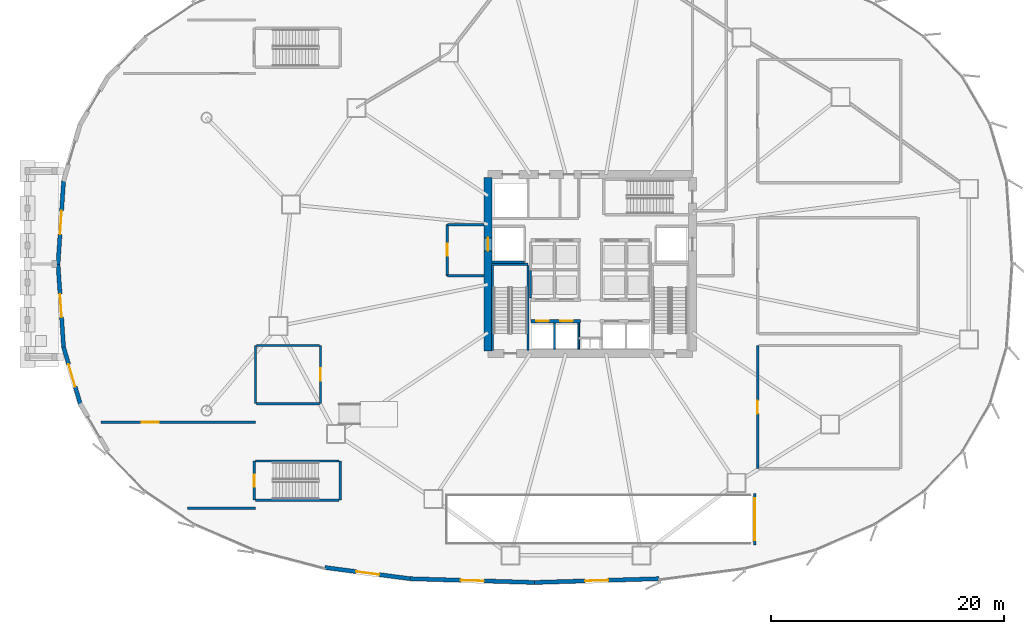
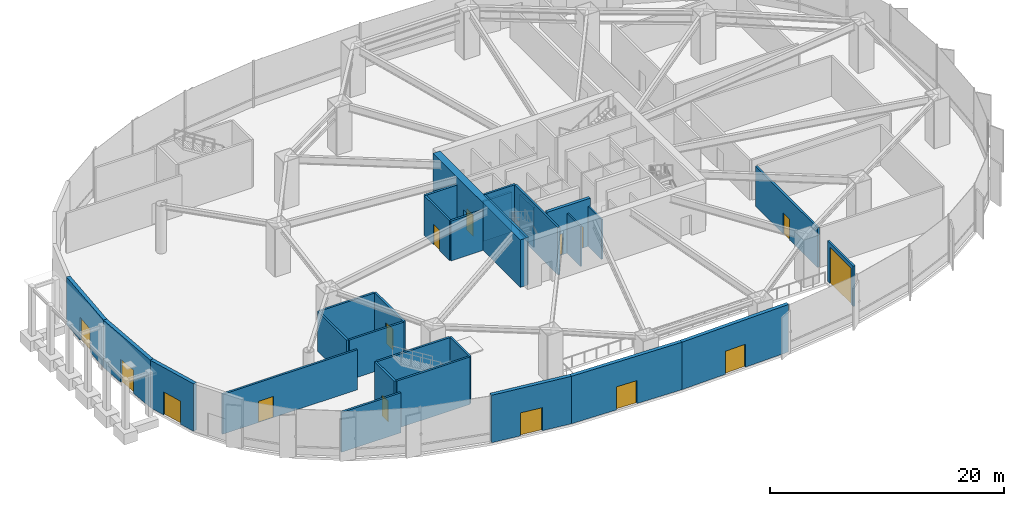
# One storey, part 23 of 35: 30 walls, 15 doors, 15 openings.
"""IFC4 building model written with IfcOpenShell, lengths in metres."""

from ifc_helpers import new_model, si_unit, direction, frame, frame_2d, origin, place, context, subcontext, project, spatial, rectangle, extrude, source, transform, mapped, material, layer, layer_set, type_object, element, fill, save


model = new_model("IFC4")

# Units and contexts
model_context = context("Model", 3, precision=1e-05, world=origin(), true_north=direction((0.0, 1.0)))
body_context = subcontext(model_context, "Body", "Model", "MODEL_VIEW")
ifc_project = project(units=[si_unit("LENGTHUNIT", "METRE"), si_unit("AREAUNIT", "SQUARE_METRE"), si_unit("VOLUMEUNIT", "CUBIC_METRE"), si_unit("PLANEANGLEUNIT", "RADIAN"), si_unit("MASSUNIT", "GRAM", prefix="KILO"), si_unit("THERMODYNAMICTEMPERATUREUNIT", "KELVIN")], contexts=[model_context])

# Site, building, storey
site_placement = place(None, origin())
site = spatial("IfcSite", under=ifc_project, at=site_placement, CompositionType="ELEMENT")
building_placement = place(site_placement, origin())
building = spatial("IfcBuilding", under=site, at=building_placement, Name="Kethvar Cultural Tower", CompositionType="ELEMENT")
storey_placement = place(building_placement, origin())
storey = spatial("IfcBuildingStorey", under=building, at=storey_placement, Name="L00", CompositionType="ELEMENT", Elevation=0.0)

# Wall, opening, door
ifc_material_1 = material(Name="Concrete C60/75", Category="concrete")
ifc_layer_1 = layer(ifc_material_1, 0.699951171875, Name="Concrete C60/75", Category="concrete")
ifc_layer_set_1 = layer_set([ifc_layer_1], Name="Concrete C60/75 (700 mm)")
wall_type_1 = type_object("IfcWallType", Name="WL-CORE-700", PredefinedType="SHEAR", material=ifc_layer_set_1)
wall_1_placement = place(storey_placement, frame((38.0, 35.260009765625, 0.0), z_axis=(0.0, 0.0, 1.0), x_axis=(0.0, -1.0, 0.0)))
wall_1 = element("IfcWall", 1, at=wall_1_placement, inside=storey, type_object=wall_type_1, Name="L00 Core Shear Wall W", PredefinedType="SHEAR", context=body_context, shape_type="SweptSolid", body=[
    extrude(rectangle(XDim=14.919921875, YDim=0.699951171875, at=frame_2d((7.4599609375, 0.0))), origin(), (0.0, 0.0, 1.0), 4.949951171875),
])
opening_1_placement = place(wall_1_placement, frame((5.2099609375, 0.0, 0.0)))
opening_1 = element("IfcOpeningElement", 2, at=opening_1_placement, cuts=wall_1, Name="Opening LD-1", PredefinedType="OPENING", context=body_context, shape_type="SweptSolid", body=[
    extrude(rectangle(XDim=1.10009765625, YDim=2.199951171875, at=frame_2d((0.550048828125, 1.10009765625))), frame((0.0, 0.35986328125, 0.0), z_axis=(0.0, -1.0, 0.0), x_axis=(1.0, 0.0, 0.0)), (0.0, 0.0, 1.0), 0.719970703125),
])
ifc_material_2 = material(Name="Steel S355J2", Category="steel")
door_type_1 = type_object("IfcDoorType", Name="DR-LIFT-SLIDE-1100", OperationType="NOTDEFINED", PredefinedType="DOOR", material=ifc_material_2)
shared_shape_1 = source(origin(), body_context, "Body", "SweptSolid", [
    extrude(rectangle(XDim=1.10009765625, YDim=2.199951171875, at=frame_2d((0.550048828125, 1.10009765625))), frame((0.0, 0.02490234375, 0.0), z_axis=(0.0, -1.0, 0.0), x_axis=(1.0, 0.0, 0.0)), (0.0, 0.0, 1.0), 0.050048828125),
])
door_1_placement = place(opening_1_placement, origin())
door_1 = element("IfcDoor", 3, at=door_1_placement, inside=storey, type_object=door_type_1, Name="L00 Firefighting Lift Landing Door FFL-01", OperationType="SLIDING_TO_LEFT", OverallHeight=2.199951171875, OverallWidth=1.10009765625, PredefinedType="DOOR", context=body_context, shape_type="MappedRepresentation", body=[
    mapped(shared_shape_1, transform((0.0, 0.0, 0.0), scale=1.0)),
])
fill(opening_1, door_1)

ifc_material_3 = material(Name="Concrete C40/50", Category="concrete")
ifc_layer_2 = layer(ifc_material_3, 0.35009765625, Name="Concrete C40/50", Category="concrete")
ifc_layer_set_2 = layer_set([ifc_layer_2], Name="Concrete C40/50 (350 mm)")
wall_type_2 = type_object("IfcWallType", Name="WL-EXT-PORTAL-350", PredefinedType="SOLIDWALL", material=ifc_layer_set_2)
wall_2_placement = place(storey_placement, frame((1.01953125, 27.785400390625, 0.0), z_axis=(0.0, 0.0, 1.0), x_axis=(0.067018998283, 0.997751699507, 0.0)))
wall_2 = element("IfcWall", 4, at=wall_2_placement, inside=storey, type_object=wall_type_2, Name="L00 Exterior Portal Wall 18", PredefinedType="SOLIDWALL", context=body_context, shape_type="SweptSolid", body=[
    extrude(rectangle(XDim=7.194580078125, YDim=0.35009765625, at=frame_2d((3.59716796875, 0.0))), origin(), (0.0, 0.0, 1.0), 4.949951171875),
])
opening_2_placement = place(wall_2_placement, frame((2.597412109375, 0.0, 0.0)))
opening_2 = element("IfcOpeningElement", 5, at=opening_2_placement, cuts=wall_2, Name="Opening EX-05", PredefinedType="OPENING", context=body_context, shape_type="SweptSolid", body=[
    extrude(rectangle(XDim=2.0, YDim=2.39990234375, at=frame_2d((1.0, 1.199951171875))), frame((0.0, 0.18505859375, 0.0), z_axis=(0.0, -1.0, 0.0), x_axis=(1.0, 0.0, 0.0)), (0.0, 0.0, 1.0), 0.3701171875),
])
ifc_material_4 = material(Name="Aluminium 6063-T6", Category="aluminium")
door_type_2 = type_object("IfcDoorType", Name="DR-EXT-EXIT-2000", OperationType="DOUBLE_DOOR_SINGLE_SWING", PredefinedType="DOOR", material=ifc_material_4)
shared_shape_2 = source(origin(), body_context, "Body", "SweptSolid", [
    extrude(rectangle(XDim=2.0, YDim=2.39990234375, at=frame_2d((1.0, 1.199951171875))), frame((0.0, 0.02490234375, 0.0), z_axis=(0.0, -1.0, 0.0), x_axis=(1.0, 0.0, 0.0)), (0.0, 0.0, 1.0), 0.050048828125),
])
door_2_placement = place(opening_2_placement, origin())
door_2 = element("IfcDoor", 6, at=door_2_placement, inside=storey, type_object=door_type_2, Name="Ground Pedestrian Exit Door EX-05", OperationType="DOUBLE_DOOR_SINGLE_SWING", OverallHeight=2.39990234375, OverallWidth=2.0, PredefinedType="DOOR", context=body_context, shape_type="MappedRepresentation", body=[
    mapped(shared_shape_2, transform((0.0, 0.0, 0.0), scale=1.0)),
])
fill(opening_2, door_2)

wall_3_placement = place(storey_placement, frame((1.501708984375, 20.635986328125, 0.0), z_axis=(0.0, 0.0, 1.0), x_axis=(-0.067016729273, 0.997751851914, 0.0)))
wall_3 = element("IfcWall", 7, at=wall_3_placement, inside=storey, type_object=wall_type_2, Name="L00 Exterior Portal Wall 19", PredefinedType="SOLIDWALL", context=body_context, shape_type="SweptSolid", body=[
    extrude(rectangle(XDim=7.19482421875, YDim=0.35009765625, at=frame_2d((3.597412109375, 0.0))), origin(), (0.0, 0.0, 1.0), 4.949951171875),
])
opening_3_placement = place(wall_3_placement, frame((2.597412109375, 0.0, 0.0)))
opening_3 = element("IfcOpeningElement", 8, at=opening_3_placement, cuts=wall_3, Name="Opening EX-06", PredefinedType="OPENING", context=body_context, shape_type="SweptSolid", body=[
    extrude(rectangle(XDim=2.0, YDim=2.39990234375, at=frame_2d((1.0, 1.199951171875))), frame((0.0, 0.18505859375, 0.0), z_axis=(0.0, -1.0, 0.0), x_axis=(1.0, 0.0, 0.0)), (0.0, 0.0, 1.0), 0.3701171875),
])
door_3_placement = place(opening_3_placement, origin())
door_3 = element("IfcDoor", 9, at=door_3_placement, inside=storey, type_object=door_type_2, Name="Ground Pedestrian Exit Door EX-06", OperationType="DOUBLE_DOOR_SINGLE_SWING", OverallHeight=2.39990234375, OverallWidth=2.0, PredefinedType="DOOR", context=body_context, shape_type="MappedRepresentation", body=[
    mapped(shared_shape_2, transform((0.0, 0.0, 0.0), scale=1.0)),
])
fill(opening_3, door_3)

wall_4_placement = place(storey_placement, frame((2.93603515625, 15.770263671875, 0.0), z_axis=(0.0, 0.0, 1.0), x_axis=(-0.281735210535, 0.959492194416, 0.0)))
wall_4 = element("IfcWall", 10, at=wall_4_placement, inside=storey, type_object=wall_type_2, Name="L00 Exterior Portal Wall 20", PredefinedType="SOLIDWALL", context=body_context, shape_type="SweptSolid", body=[
    extrude(rectangle(XDim=5.12060546875, YDim=0.35009765625, at=frame_2d((2.560302734375, 0.0))), origin(), (0.0, 0.0, 1.0), 4.949951171875),
])
opening_4_placement = place(wall_4_placement, frame((1.560302734375, 0.0, 0.0)))
opening_4 = element("IfcOpeningElement", 11, at=opening_4_placement, cuts=wall_4, Name="Opening EX-07", PredefinedType="OPENING", context=body_context, shape_type="SweptSolid", body=[
    extrude(rectangle(XDim=2.0, YDim=2.39990234375, at=frame_2d((1.0, 1.199951171875))), frame((0.0, 0.18505859375, 0.0), z_axis=(0.0, -1.0, 0.0), x_axis=(1.0, 0.0, 0.0)), (0.0, 0.0, 1.0), 0.3701171875),
])
door_4_placement = place(opening_4_placement, origin())
door_4 = element("IfcDoor", 12, at=door_4_placement, inside=storey, type_object=door_type_2, Name="Ground Pedestrian Exit Door EX-07", OperationType="DOUBLE_DOOR_SINGLE_SWING", OverallHeight=2.39990234375, OverallWidth=2.0, PredefinedType="DOOR", context=body_context, shape_type="MappedRepresentation", body=[
    mapped(shared_shape_2, transform((0.0, 0.0, 0.0), scale=1.0)),
])
fill(opening_4, door_4)

wall_5_placement = place(storey_placement, frame((31.312744140625, 0.7412109375, 0.0), z_axis=(0.0, 0.0, 1.0), x_axis=(-0.991431364125, 0.130628673076, 0.0)))
wall_5 = element("IfcWall", 13, at=wall_5_placement, inside=storey, type_object=wall_type_2, Name="L00 Exterior Portal Wall 26", PredefinedType="SOLIDWALL", context=body_context, shape_type="SweptSolid", body=[
    extrude(rectangle(XDim=7.3974609375, YDim=0.35009765625, at=frame_2d((3.69873046875, 0.0))), origin(), (0.0, 0.0, 1.0), 4.949951171875),
])
opening_5_placement = place(wall_5_placement, frame((2.69873046875, 0.0, 0.0)))
opening_5 = element("IfcOpeningElement", 14, at=opening_5_placement, cuts=wall_5, Name="Opening EX-09", PredefinedType="OPENING", context=body_context, shape_type="SweptSolid", body=[
    extrude(rectangle(XDim=2.0, YDim=2.39990234375, at=frame_2d((1.0, 1.199951171875))), frame((0.0, 0.18505859375, 0.0), z_axis=(0.0, -1.0, 0.0), x_axis=(1.0, 0.0, 0.0)), (0.0, 0.0, 1.0), 0.3701171875),
])
door_5_placement = place(opening_5_placement, origin())
door_5 = element("IfcDoor", 15, at=door_5_placement, inside=storey, type_object=door_type_2, Name="Ground Pedestrian Exit Door EX-09", OperationType="DOUBLE_DOOR_SINGLE_SWING", OverallHeight=2.39990234375, OverallWidth=2.0, PredefinedType="DOOR", context=body_context, shape_type="MappedRepresentation", body=[
    mapped(shared_shape_2, transform((0.0, 0.0, 0.0), scale=1.0)),
])
fill(opening_5, door_5)

wall_6_placement = place(storey_placement, frame((42.006591796875, 0.419921875, 0.0), z_axis=(0.0, 0.0, 1.0), x_axis=(-0.999546034195, 0.030128483624, 0.0)))
wall_6 = element("IfcWall", 16, at=wall_6_placement, inside=storey, type_object=wall_type_2, Name="L00 Exterior Portal Wall 27", PredefinedType="SOLIDWALL", context=body_context, shape_type="SweptSolid", body=[
    extrude(rectangle(XDim=10.720703125, YDim=0.35009765625, at=frame_2d((5.3603515625, 0.0))), origin(), (0.0, 0.0, 1.0), 4.949951171875),
])
opening_6_placement = place(wall_6_placement, frame((4.3603515625, 0.0, 0.0)))
opening_6 = element("IfcOpeningElement", 17, at=opening_6_placement, cuts=wall_6, Name="Opening EX-10", PredefinedType="OPENING", context=body_context, shape_type="SweptSolid", body=[
    extrude(rectangle(XDim=2.0, YDim=2.39990234375, at=frame_2d((1.0, 1.199951171875))), frame((0.0, 0.18505859375, 0.0), z_axis=(0.0, -1.0, 0.0), x_axis=(1.0, 0.0, 0.0)), (0.0, 0.0, 1.0), 0.3701171875),
])
door_6_placement = place(opening_6_placement, origin())
door_6 = element("IfcDoor", 18, at=door_6_placement, inside=storey, type_object=door_type_2, Name="Ground Pedestrian Exit Door EX-10", OperationType="DOUBLE_DOOR_SINGLE_SWING", OverallHeight=2.39990234375, OverallWidth=2.0, PredefinedType="DOOR", context=body_context, shape_type="MappedRepresentation", body=[
    mapped(shared_shape_2, transform((0.0, 0.0, 0.0), scale=1.0)),
])
fill(opening_6, door_6)

wall_7_placement = place(storey_placement, frame((52.709228515625, 0.742919921875, 0.0), z_axis=(0.0, 0.0, 1.0), x_axis=(-0.999546034195, -0.030128483624, 0.0)))
wall_7 = element("IfcWall", 19, at=wall_7_placement, inside=storey, type_object=wall_type_2, Name="L00 Exterior Portal Wall 28", PredefinedType="SOLIDWALL", context=body_context, shape_type="SweptSolid", body=[
    extrude(rectangle(XDim=10.720703125, YDim=0.35009765625, at=frame_2d((5.3603515625, 0.0))), origin(), (0.0, 0.0, 1.0), 4.949951171875),
])
opening_7_placement = place(wall_7_placement, frame((4.3603515625, 0.0, 0.0)))
opening_7 = element("IfcOpeningElement", 20, at=opening_7_placement, cuts=wall_7, Name="Opening EX-11", PredefinedType="OPENING", context=body_context, shape_type="SweptSolid", body=[
    extrude(rectangle(XDim=2.0, YDim=2.39990234375, at=frame_2d((1.0, 1.199951171875))), frame((0.0, 0.18505859375, 0.0), z_axis=(0.0, -1.0, 0.0), x_axis=(1.0, 0.0, 0.0)), (0.0, 0.0, 1.0), 0.3701171875),
])
door_7_placement = place(opening_7_placement, origin())
door_7 = element("IfcDoor", 21, at=door_7_placement, inside=storey, type_object=door_type_2, Name="Ground Pedestrian Exit Door EX-11", OperationType="DOUBLE_DOOR_SINGLE_SWING", OverallHeight=2.39990234375, OverallWidth=2.0, PredefinedType="DOOR", context=body_context, shape_type="MappedRepresentation", body=[
    mapped(shared_shape_2, transform((0.0, 0.0, 0.0), scale=1.0)),
])
fill(opening_7, door_7)

# Walls
ifc_material_5 = material(Name="Gypsum Fireboard Partition")
ifc_layer_3 = layer(ifc_material_5, 0.14990234375, Name="Gypsum Fireboard Partition")
ifc_layer_set_3 = layer_set([ifc_layer_3], Name="Gypsum Fireboard Partition (150 mm)")
wall_type_3 = type_object("IfcWallType", Name="WL-FIRE-150", PredefinedType="PARTITIONING", material=ifc_layer_set_3)
wall_8_placement = place(storey_placement, frame((45.800048828125, 20.47998046875, 0.0), z_axis=(0.0, 0.0, 1.0), x_axis=(0.0, 1.0, 0.0)))
element("IfcWall", 22, at=wall_8_placement, inside=storey, type_object=wall_type_3, Name="L00 Core Riser West Wall", PredefinedType="PARTITIONING", context=body_context, shape_type="SweptSolid", body=[
    extrude(rectangle(XDim=2.239990234375, YDim=0.14990234375, at=frame_2d((1.1201171875, 0.0))), origin(), (0.0, 0.0, 1.0), 4.1630859375),
])
wall_9_placement = place(storey_placement, frame((43.72509765625, 20.4599609375, 0.0), z_axis=(0.0, 0.0, 1.0), x_axis=(0.0, 1.0, 0.0)))
element("IfcWall", 23, at=wall_9_placement, inside=storey, type_object=wall_type_3, Name="L00 Low-Rise Lift Shaft Divider W", PredefinedType="PARTITIONING", context=body_context, shape_type="SweptSolid", body=[
    extrude(rectangle(XDim=2.27001953125, YDim=0.14990234375, at=frame_2d((1.135009765625, 0.0))), origin(), (0.0, 0.0, 1.0), 4.1630859375),
])
wall_10_placement = place(storey_placement, frame((41.64990234375, 24.919921875, 0.0), z_axis=(0.0, 0.0, 1.0), x_axis=(0.0, 1.0, 0.0)))
element("IfcWall", 24, at=wall_10_placement, inside=storey, type_object=wall_type_3, Name="L00 Mid-Rise Lift Shaft Outer Wall W", PredefinedType="PARTITIONING", context=body_context, shape_type="SweptSolid", body=[
    extrude(rectangle(XDim=2.320068359375, YDim=0.14990234375, at=frame_2d((1.16015625, 0.0))), origin(), (0.0, 0.0, 1.0), 4.1630859375),
])
ifc_layer_4 = layer(ifc_material_3, 0.199951171875, Name="Concrete C40/50", Category="concrete")
ifc_layer_set_4 = layer_set([ifc_layer_4], Name="Concrete C40/50 (200 mm)")
wall_type_4 = type_object("IfcWallType", Name="WL-FIRE-200", PredefinedType="PARTITIONING", material=ifc_layer_set_4)
wall_11_placement = place(storey_placement, frame((38.360107421875, 27.949951171875, 0.0), z_axis=(0.0, 0.0, 1.0), x_axis=(1.0, 0.0, 0.0)))
element("IfcWall", 25, at=wall_11_placement, inside=storey, type_object=wall_type_4, Name="L00 FFL-01 Shaft South Wall", PredefinedType="PARTITIONING", context=body_context, shape_type="SweptSolid", body=[
    extrude(rectangle(XDim=2.789794921875, YDim=0.199951171875, at=frame_2d((1.39501953125, 0.0))), origin(), (0.0, 0.0, 1.0), 4.1630859375),
])

# Wall, opening, door
wall_12_placement = place(storey_placement, frame((34.5, 31.199951171875, 0.0), z_axis=(0.0, 0.0, 1.0), x_axis=(0.0, -1.0, 0.0)))
wall_12 = element("IfcWall", 26, at=wall_12_placement, inside=storey, type_object=wall_type_4, Name="L00 Firefighting Lobby 1 Wall", PredefinedType="PARTITIONING", context=body_context, shape_type="SweptSolid", body=[
    extrude(rectangle(XDim=4.39990234375, YDim=0.199951171875, at=frame_2d((2.199951171875, 0.0))), origin(), (0.0, 0.0, 1.0), 4.1630859375),
])
opening_8_placement = place(wall_12_placement, frame((1.64990234375, 0.0, 0.0)))
opening_8 = element("IfcOpeningElement", 27, at=opening_8_placement, cuts=wall_12, Name="Opening D-L00-F1", PredefinedType="OPENING", context=body_context, shape_type="SweptSolid", body=[
    extrude(rectangle(XDim=1.050048828125, YDim=2.14990234375, at=frame_2d((0.52490234375, 1.074951171875))), frame((0.0, 0.10986328125, 0.0), z_axis=(0.0, -1.0, 0.0), x_axis=(1.0, 0.0, 0.0)), (0.0, 0.0, 1.0), 0.219970703125),
])
door_type_3 = type_object("IfcDoorType", Name="DR-FD60-1050", OperationType="NOTDEFINED", PredefinedType="DOOR", material=ifc_material_2)
shared_shape_3 = source(origin(), body_context, "Body", "SweptSolid", [
    extrude(rectangle(XDim=1.050048828125, YDim=2.14990234375, at=frame_2d((0.52490234375, 1.074951171875))), frame((0.0, 0.02490234375, 0.0), z_axis=(0.0, -1.0, 0.0), x_axis=(1.0, 0.0, 0.0)), (0.0, 0.0, 1.0), 0.050048828125),
])
door_8_placement = place(opening_8_placement, origin())
door_8 = element("IfcDoor", 28, at=door_8_placement, inside=storey, type_object=door_type_3, Name="L00 Firefighting Lobby 1 Fire Door", OperationType="SINGLE_SWING_LEFT", OverallHeight=2.14990234375, OverallWidth=1.050048828125, PredefinedType="DOOR", context=body_context, shape_type="MappedRepresentation", body=[
    mapped(shared_shape_3, transform((0.0, 0.0, 0.0), scale=1.0)),
])
fill(opening_8, door_8)

# Walls
for number, where, z_axis, x_axis, name in (
    (29, (34.5, 26.800048828125, 0.0), (0.0, 0.0, 1.0), (1.0, 0.0, 0.0), "L00 FF Lobby 1 South Wall"),
    (30, (34.5, 31.199951171875, 0.0), (0.0, 0.0, 1.0), (1.0, 0.0, 0.0), "L00 FF Lobby 1 North Wall"),
):
    element("IfcWall", number, at=place(storey_placement, frame(where, z_axis=z_axis, x_axis=x_axis)), inside=storey, type_object=wall_type_4, Name=name, PredefinedType="PARTITIONING", context=body_context, shape_type="SweptSolid", body=[
        extrude(rectangle(XDim=3.139892578125, YDim=0.199951171875, at=frame_2d((1.56982421875, 0.0))), origin(), (0.0, 0.0, 1.0), 4.1630859375),
    ])

# Wall, opening, door
wall_13_placement = place(storey_placement, frame((23.60009765625, 15.800048828125, 0.0), z_axis=(0.0, 0.0, 1.0), x_axis=(0.0, 1.0, 0.0)))
wall_13 = element("IfcWall", 31, at=wall_13_placement, inside=storey, type_object=wall_type_4, Name="L00 Fire Command Centre Entry Wall", PredefinedType="PARTITIONING", context=body_context, shape_type="SweptSolid", body=[
    extrude(rectangle(XDim=5.0, YDim=0.199951171875, at=frame_2d((2.5, 0.0))), origin(), (0.0, 0.0, 1.0), 4.1630859375),
])
opening_9_placement = place(wall_13_placement, frame((1.949951171875, 0.0, 0.0)))
opening_9 = element("IfcOpeningElement", 32, at=opening_9_placement, cuts=wall_13, Name="Opening D-L00-FC", PredefinedType="OPENING", context=body_context, shape_type="SweptSolid", body=[
    extrude(rectangle(XDim=1.10009765625, YDim=2.14990234375, at=frame_2d((0.550048828125, 1.074951171875))), frame((0.0, 0.10986328125, 0.0), z_axis=(0.0, -1.0, 0.0), x_axis=(1.0, 0.0, 0.0)), (0.0, 0.0, 1.0), 0.219970703125),
])
door_type_4 = type_object("IfcDoorType", Name="DR-FD60-1100", OperationType="NOTDEFINED", PredefinedType="DOOR", material=ifc_material_2)
shared_shape_4 = source(origin(), body_context, "Body", "SweptSolid", [
    extrude(rectangle(XDim=1.10009765625, YDim=2.14990234375, at=frame_2d((0.550048828125, 1.074951171875))), frame((0.0, 0.02490234375, 0.0), z_axis=(0.0, -1.0, 0.0), x_axis=(1.0, 0.0, 0.0)), (0.0, 0.0, 1.0), 0.050048828125),
])
door_9_placement = place(opening_9_placement, origin())
door_9 = element("IfcDoor", 33, at=door_9_placement, inside=storey, type_object=door_type_4, Name="Fire Command Centre Door", OperationType="SINGLE_SWING_LEFT", OverallHeight=2.14990234375, OverallWidth=1.10009765625, PredefinedType="DOOR", context=body_context, shape_type="MappedRepresentation", body=[
    mapped(shared_shape_4, transform((0.0, 0.0, 0.0), scale=1.0)),
])
fill(opening_9, door_9)

# Walls
wall_14_placement = place(storey_placement, frame((18.0, 15.800048828125, 0.0), z_axis=(0.0, 0.0, 1.0), x_axis=(0.0, 1.0, 0.0)))
element("IfcWall", 34, at=wall_14_placement, inside=storey, type_object=wall_type_4, Name="L00 Fire Command Centre Rear Wall", PredefinedType="PARTITIONING", context=body_context, shape_type="SweptSolid", body=[
    extrude(rectangle(XDim=5.0, YDim=0.199951171875, at=frame_2d((2.5, 0.0))), origin(), (0.0, 0.0, 1.0), 4.1630859375),
])
for number, where, z_axis, x_axis, name in (
    (35, (18.110107421875, 15.800048828125, 0.0), (0.0, 0.0, 1.0), (1.0, 0.0, 0.0), "L00 Fire Command Centre South Wall"),
    (36, (18.110107421875, 20.800048828125, 0.0), (0.0, 0.0, 1.0), (1.0, 0.0, 0.0), "L00 Fire Command Centre North Wall"),
):
    element("IfcWall", number, at=place(storey_placement, frame(where, z_axis=z_axis, x_axis=x_axis)), inside=storey, type_object=wall_type_4, Name=name, PredefinedType="PARTITIONING", context=body_context, shape_type="SweptSolid", body=[
        extrude(rectangle(XDim=5.3798828125, YDim=0.199951171875, at=frame_2d((2.68994140625, 0.0))), origin(), (0.0, 0.0, 1.0), 4.1630859375),
    ])

# Wall, opening, door
wall_15_placement = place(storey_placement, frame((61.199951171875, 10.199951171875, 0.0), z_axis=(0.0, 0.0, 1.0), x_axis=(0.0, 1.0, 0.0)))
wall_15 = element("IfcWall", 37, at=wall_15_placement, inside=storey, type_object=wall_type_4, Name="L00 Museum Design Book Shop Entry Wall", PredefinedType="PARTITIONING", context=body_context, shape_type="SweptSolid", body=[
    extrude(rectangle(XDim=10.60009765625, YDim=0.199951171875, at=frame_2d((5.300048828125, 0.0))), origin(), (0.0, 0.0, 1.0), 4.1630859375),
])
opening_10_placement = place(wall_15_placement, frame((4.75, 0.0, 0.0)))
opening_10 = element("IfcOpeningElement", 38, at=opening_10_placement, cuts=wall_15, Name="Opening D-L00-BK", PredefinedType="OPENING", context=body_context, shape_type="SweptSolid", body=[
    extrude(rectangle(XDim=1.10009765625, YDim=2.14990234375, at=frame_2d((0.550048828125, 1.074951171875))), frame((0.0, 0.10986328125, 0.0), z_axis=(0.0, -1.0, 0.0), x_axis=(1.0, 0.0, 0.0)), (0.0, 0.0, 1.0), 0.219970703125),
])
door_10_placement = place(opening_10_placement, origin())
door_10 = element("IfcDoor", 39, at=door_10_placement, inside=storey, type_object=door_type_4, Name="Museum Design Book Shop Door", OperationType="SINGLE_SWING_LEFT", OverallHeight=2.14990234375, OverallWidth=1.10009765625, PredefinedType="DOOR", context=body_context, shape_type="MappedRepresentation", body=[
    mapped(shared_shape_4, transform((0.0, 0.0, 0.0), scale=1.0)),
])
fill(opening_10, door_10)

wall_16_placement = place(storey_placement, frame((4.70361328125, 14.199951171875, 0.0), z_axis=(0.0, 0.0, 1.0), x_axis=(1.0, 0.0, 0.0)))
wall_16 = element("IfcWall", 40, at=wall_16_placement, inside=storey, type_object=wall_type_4, Name="L00 ST-04 Exit Passageway North Fire Wall", PredefinedType="PARTITIONING", context=body_context, shape_type="SweptSolid", body=[
    extrude(rectangle(XDim=13.29638671875, YDim=0.199951171875, at=frame_2d((6.648193359375, 0.0))), origin(), (0.0, 0.0, 1.0), 4.1630859375),
])
opening_11_placement = place(wall_16_placement, frame((3.5, 0.0, 0.0)))
opening_11 = element("IfcOpeningElement", 41, at=opening_11_placement, cuts=wall_16, Name="Opening D-L00-ES", PredefinedType="OPENING", context=body_context, shape_type="SweptSolid", body=[
    extrude(rectangle(XDim=1.5, YDim=2.199951171875, at=frame_2d((0.75, 1.10009765625))), frame((0.0, 0.10986328125, 0.0), z_axis=(0.0, -1.0, 0.0), x_axis=(1.0, 0.0, 0.0)), (0.0, 0.0, 1.0), 0.219970703125),
])
ifc_material_6 = material(Name="Architectural Oak Timber", Category="wood")
door_type_5 = type_object("IfcDoorType", Name="DR-DBL-FD60-1500", OperationType="DOUBLE_DOOR_SINGLE_SWING", PredefinedType="DOOR", material=ifc_material_6)
shared_shape_5 = source(origin(), body_context, "Body", "SweptSolid", [
    extrude(rectangle(XDim=1.5, YDim=2.199951171875, at=frame_2d((0.75, 1.10009765625))), frame((0.0, 0.02490234375, 0.0), z_axis=(0.0, -1.0, 0.0), x_axis=(1.0, 0.0, 0.0)), (0.0, 0.0, 1.0), 0.050048828125),
])
door_11_placement = place(opening_11_placement, origin())
door_11 = element("IfcDoor", 42, at=door_11_placement, inside=storey, type_object=door_type_5, Name="L00 ST-04 Exit Passageway Lobby Door", OperationType="DOUBLE_DOOR_SINGLE_SWING", OverallHeight=2.199951171875, OverallWidth=1.5, PredefinedType="DOOR", context=body_context, shape_type="MappedRepresentation", body=[
    mapped(shared_shape_5, transform((0.0, 0.0, 0.0), scale=1.0)),
])
fill(opening_11, door_11)

# Wall
wall_17_placement = place(storey_placement, frame((12.165283203125, 6.800048828125, 0.0), z_axis=(0.0, 0.0, 1.0), x_axis=(1.0, 0.0, 0.0)))
element("IfcWall", 43, at=wall_17_placement, inside=storey, type_object=wall_type_4, Name="L00 ST-04 Exit Passageway South Fire Wall", PredefinedType="PARTITIONING", context=body_context, shape_type="SweptSolid", body=[
    extrude(rectangle(XDim=5.834716796875, YDim=0.199951171875, at=frame_2d((2.91748046875, 0.0))), origin(), (0.0, 0.0, 1.0), 4.1630859375),
])

# Wall, opening, door
wall_18_placement = place(storey_placement, frame((60.949951171875, 3.64990234375, 0.0), z_axis=(0.0, 0.0, 1.0), x_axis=(0.0, 1.0, 0.0)))
wall_18 = element("IfcWall", 44, at=wall_18_placement, inside=storey, type_object=wall_type_4, Name="L00 Car Park Vehicle Ramp Portal Wall", PredefinedType="PARTITIONING", context=body_context, shape_type="SweptSolid", body=[
    extrude(rectangle(XDim=4.400146484375, YDim=0.199951171875, at=frame_2d((2.2001953125, 0.0))), origin(), (0.0, 0.0, 1.0), 4.199951171875),
])
opening_12_placement = place(wall_18_placement, frame((0.39990234375, 0.0, 0.0)))
opening_12 = element("IfcOpeningElement", 45, at=opening_12_placement, cuts=wall_18, Name="Opening VG-01", PredefinedType="OPENING", context=body_context, shape_type="SweptSolid", body=[
    extrude(rectangle(XDim=3.60009765625, YDim=3.800048828125, at=frame_2d((1.800048828125, 1.89990234375))), frame((0.0, 0.10986328125, 0.0), z_axis=(0.0, -1.0, 0.0), x_axis=(1.0, 0.0, 0.0)), (0.0, 0.0, 1.0), 0.219970703125),
])
door_type_6 = type_object("IfcDoorType", Name="DR-LOADING-3600", OperationType="ROLLINGUP", PredefinedType="GATE", material=ifc_material_2)
shared_shape_6 = source(origin(), body_context, "Body", "SweptSolid", [
    extrude(rectangle(XDim=3.60009765625, YDim=3.800048828125, at=frame_2d((1.800048828125, 1.89990234375))), frame((0.0, 0.02490234375, 0.0), z_axis=(0.0, -1.0, 0.0), x_axis=(1.0, 0.0, 0.0)), (0.0, 0.0, 1.0), 0.050048828125),
])
door_12_placement = place(opening_12_placement, origin())
door_12 = element("IfcDoor", 46, at=door_12_placement, inside=storey, type_object=door_type_6, Name="Car Park Vehicle Ramp Roller Shutter Gate VG-01", OperationType="ROLLINGUP", OverallHeight=3.800048828125, OverallWidth=3.60009765625, PredefinedType="GATE", context=body_context, shape_type="MappedRepresentation", body=[
    mapped(shared_shape_6, transform((0.0, 0.0, 0.0), scale=1.0)),
])
fill(opening_12, door_12)

# Wall, openings, doors
ifc_material_7 = material(Name="Concrete C50/60", Category="concrete")
ifc_layer_5 = layer(ifc_material_7, 0.300048828125, Name="Concrete C50/60", Category="concrete")
ifc_layer_set_5 = layer_set([ifc_layer_5], Name="Concrete C50/60 (300 mm)")
wall_type_5 = type_object("IfcWallType", Name="WL-SHAFT-300", PredefinedType="SHEAR", material=ifc_layer_set_5)
wall_19_placement = place(storey_placement, frame((41.699951171875, 22.89990234375, 0.0), z_axis=(0.0, 0.0, 1.0), x_axis=(1.0, 0.0, 0.0)))
wall_19 = element("IfcWall", 47, at=wall_19_placement, inside=storey, type_object=wall_type_5, Name="L00 Core Lift Spine Wall MID1W", PredefinedType="SHEAR", context=body_context, shape_type="SweptSolid", body=[
    extrude(rectangle(XDim=4.25, YDim=0.300048828125, at=frame_2d((2.125, 0.0))), origin(), (0.0, 0.0, 1.0), 4.949951171875),
])
opening_13_placement = place(wall_19_placement, frame((0.449951171875, 0.0, 0.0)))
opening_13 = element("IfcOpeningElement", 48, at=opening_13_placement, cuts=wall_19, Name="Opening LD-L1", PredefinedType="OPENING", context=body_context, shape_type="SweptSolid", body=[
    extrude(rectangle(XDim=1.10009765625, YDim=2.199951171875, at=frame_2d((0.550048828125, 1.10009765625))), frame((0.0, 0.159912109375, 0.0), z_axis=(0.0, -1.0, 0.0), x_axis=(1.0, 0.0, 0.0)), (0.0, 0.0, 1.0), 0.320068359375),
])
opening_14_placement = place(wall_19_placement, frame((2.5, 0.0, 0.0)))
opening_14 = element("IfcOpeningElement", 49, at=opening_14_placement, cuts=wall_19, Name="Opening LD-L2", PredefinedType="OPENING", context=body_context, shape_type="SweptSolid", body=[
    extrude(rectangle(XDim=1.10009765625, YDim=2.199951171875, at=frame_2d((0.550048828125, 1.10009765625))), frame((0.0, 0.159912109375, 0.0), z_axis=(0.0, -1.0, 0.0), x_axis=(1.0, 0.0, 0.0)), (0.0, 0.0, 1.0), 0.320068359375),
])
door_13_placement = place(opening_13_placement, origin())
door_13 = element("IfcDoor", 50, at=door_13_placement, inside=storey, type_object=door_type_1, Name="L00 Low-Rise Lift Landing Door L1", OperationType="SLIDING_TO_LEFT", OverallHeight=2.199951171875, OverallWidth=1.10009765625, PredefinedType="DOOR", context=body_context, shape_type="MappedRepresentation", body=[
    mapped(shared_shape_1, transform((0.0, 0.0, 0.0), scale=1.0)),
])
fill(opening_13, door_13)
door_14_placement = place(opening_14_placement, origin())
door_14 = element("IfcDoor", 51, at=door_14_placement, inside=storey, type_object=door_type_1, Name="L00 Low-Rise Lift Landing Door L2", OperationType="SLIDING_TO_LEFT", OverallHeight=2.199951171875, OverallWidth=1.10009765625, PredefinedType="DOOR", context=body_context, shape_type="MappedRepresentation", body=[
    mapped(shared_shape_1, transform((0.0, 0.0, 0.0), scale=1.0)),
])
fill(opening_14, door_14)

# Walls
ifc_layer_6 = layer(ifc_material_7, 0.199951171875, Name="Concrete C50/60", Category="concrete")
ifc_layer_set_6 = layer_set([ifc_layer_6], Name="Concrete C50/60 (200 mm)")
wall_type_6 = type_object("IfcWallType", Name="WL-STSHAFT-200", PredefinedType="SHEAR", material=ifc_layer_set_6)
wall_20_placement = place(storey_placement, frame((38.389892578125, 27.800048828125, 0.0), z_axis=(0.0, 0.0, 1.0), x_axis=(1.0, 0.0, 0.0)))
element("IfcWall", 52, at=wall_20_placement, inside=storey, type_object=wall_type_6, Name="L00 ST-01 Stair Shaft Wall FAR", PredefinedType="SHEAR", context=body_context, shape_type="SweptSolid", body=[
    extrude(rectangle(XDim=3.06005859375, YDim=0.199951171875, at=frame_2d((1.530029296875, 0.0))), origin(), (0.0, 0.0, 1.0), 4.949951171875),
])
for number, where, z_axis, x_axis, name in (
    (53, (41.449951171875, 27.699951171875, 0.0), (0.0, 0.0, 1.0), (0.0, -1.0, 0.0), "L00 ST-01 Stair Shaft Wall LEFT"),
    (54, (38.389892578125, 20.35009765625, 0.0), (0.0, 0.0, 1.0), (0.0, 1.0, 0.0), "L00 ST-01 Stair Shaft Wall RIGHT"),
):
    element("IfcWall", number, at=place(storey_placement, frame(where, z_axis=z_axis, x_axis=x_axis)), inside=storey, type_object=wall_type_6, Name=name, PredefinedType="SHEAR", context=body_context, shape_type="SweptSolid", body=[
        extrude(rectangle(XDim=7.349853515625, YDim=0.199951171875, at=frame_2d((3.6748046875, 0.0))), origin(), (0.0, 0.0, 1.0), 4.949951171875),
    ])

# Wall, opening, door
wall_21_placement = place(storey_placement, frame((17.89990234375, 7.5, 0.0), z_axis=(0.0, 0.0, 1.0), x_axis=(0.0, 1.0, 0.0)))
wall_21 = element("IfcWall", 55, at=wall_21_placement, inside=storey, type_object=wall_type_6, Name="L00 ST-04 Stair Shaft Wall NEAR", PredefinedType="SHEAR", context=body_context, shape_type="SweptSolid", body=[
    extrude(rectangle(XDim=3.360107421875, YDim=0.199951171875, at=frame_2d((1.68017578125, 0.0))), origin(), (0.0, 0.0, 1.0), 4.949951171875),
])
opening_15_placement = place(wall_21_placement, frame((1.155029296875, 0.0, 0.0)))
opening_15 = element("IfcOpeningElement", 56, at=opening_15_placement, cuts=wall_21, Name="Opening D-L00-ST4", PredefinedType="OPENING", context=body_context, shape_type="SweptSolid", body=[
    extrude(rectangle(XDim=1.050048828125, YDim=2.14990234375, at=frame_2d((0.52490234375, 1.074951171875))), frame((0.0, 0.10986328125, 0.0), z_axis=(0.0, -1.0, 0.0), x_axis=(1.0, 0.0, 0.0)), (0.0, 0.0, 1.0), 0.219970703125),
])
door_15_placement = place(opening_15_placement, origin())
door_15 = element("IfcDoor", 57, at=door_15_placement, inside=storey, type_object=door_type_3, Name="L00 ST-04 Stair Landing Fire Door", OperationType="SINGLE_SWING_LEFT", OverallHeight=2.14990234375, OverallWidth=1.050048828125, PredefinedType="DOOR", context=body_context, shape_type="MappedRepresentation", body=[
    mapped(shared_shape_3, transform((0.0, 0.0, 0.0), scale=1.0)),
])
fill(opening_15, door_15)

# Walls
wall_22_placement = place(storey_placement, frame((25.300048828125, 10.860107421875, 0.0), z_axis=(0.0, 0.0, 1.0), x_axis=(0.0, -1.0, 0.0)))
element("IfcWall", 58, at=wall_22_placement, inside=storey, type_object=wall_type_6, Name="L00 ST-04 Stair Shaft Wall FAR", PredefinedType="SHEAR", context=body_context, shape_type="SweptSolid", body=[
    extrude(rectangle(XDim=3.360107421875, YDim=0.199951171875, at=frame_2d((1.68017578125, 0.0))), origin(), (0.0, 0.0, 1.0), 4.949951171875),
])
for number, where, z_axis, x_axis, name in (
    (59, (25.199951171875, 7.5, 0.0), (0.0, 0.0, 1.0), (-1.0, 0.0, 0.0), "L00 ST-04 Stair Shaft Wall LEFT"),
    (60, (18.0, 10.860107421875, 0.0), (0.0, 0.0, 1.0), (1.0, 0.0, 0.0), "L00 ST-04 Stair Shaft Wall RIGHT"),
):
    element("IfcWall", number, at=place(storey_placement, frame(where, z_axis=z_axis, x_axis=x_axis)), inside=storey, type_object=wall_type_6, Name=name, PredefinedType="SHEAR", context=body_context, shape_type="SweptSolid", body=[
        extrude(rectangle(XDim=7.199951171875, YDim=0.199951171875, at=frame_2d((3.60009765625, 0.0))), origin(), (0.0, 0.0, 1.0), 4.949951171875),
    ])

save(model, "model.ifc")
